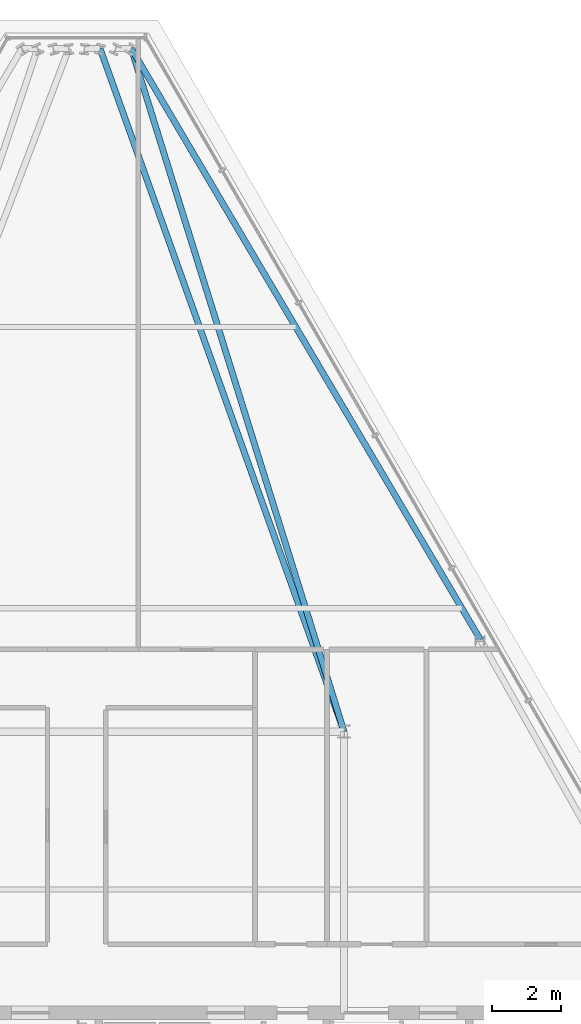
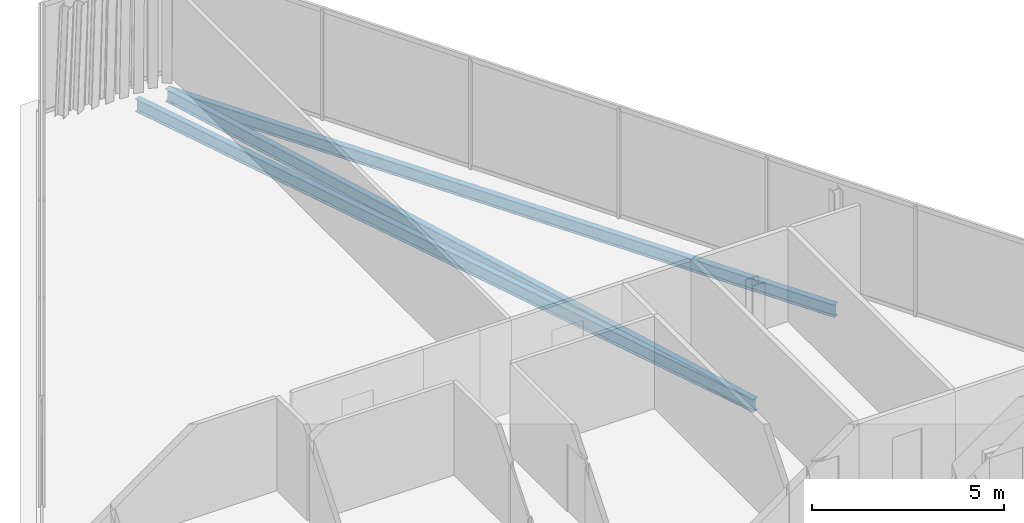
# One storey, part 18 of 32: 3 beams.
"""IFC4 building model written with IfcOpenShell, lengths in metres."""

from ifc_helpers import new_model, si_unit, direction, frame, origin, origin_2d, place, context, subcontext, project, spatial, i_section, extrude, material, material_profile, profile_set, type_object, element, save


model = new_model("IFC4")

# Units and contexts
model_context = context("Model", 3, precision=1e-05, world=origin(), true_north=direction((0.0, 1.0)))
body_context = subcontext(model_context, "Body", "Model", "MODEL_VIEW")
ifc_project = project(units=[si_unit("LENGTHUNIT", "METRE"), si_unit("AREAUNIT", "SQUARE_METRE"), si_unit("VOLUMEUNIT", "CUBIC_METRE"), si_unit("PLANEANGLEUNIT", "RADIAN"), si_unit("MASSUNIT", "GRAM", prefix="KILO")], contexts=[model_context])

# Site, building, storey
site_placement = place(None, origin())
site = spatial("IfcSite", under=ifc_project, at=site_placement, CompositionType="ELEMENT")
building_placement = place(site_placement, origin())
building = spatial("IfcBuilding", under=site, at=building_placement, Name="Ndaravel Arena Tower", CompositionType="ELEMENT")
storey_placement = place(building_placement, frame((0.0, 0.0, 294.699951171875)))
storey = spatial("IfcBuildingStorey", under=building, at=storey_placement, Name="L72", CompositionType="ELEMENT", Elevation=294.699951171875)

# Beams
ifc_material_1 = material(Name="Steel S355", Category="steel")
ifc_material_profile_1 = material_profile(ifc_material_1, i_section(OverallWidth=0.1787109375, OverallDepth=0.409423828125, WebThickness=0.0087890625, FlangeThickness=0.014404296875, FilletRadius=0.01025390625, at=origin_2d()), Name="UB 406x178x67")
ifc_profile_set_1 = profile_set([ifc_material_profile_1], Name="Steel S355")
beam_type_1 = type_object("IfcBeamType", Name="BM-GIRD-UB406", PredefinedType="BEAM", material=ifc_profile_set_1)
beam_1_placement = place(storey_placement, frame((43.59423828125, 43.12548828125, -0.424560546875), z_axis=(0.297361632041, -0.954764923837, 0.0), x_axis=(0.954764923837, 0.297361632041, 0.0)))
element("IfcBeam", 1, at=beam_1_placement, inside=storey, type_object=beam_type_1, Name="L72 Radial Floor Girder FG-11", PredefinedType="BEAM", context=body_context, shape_type="SweptSolid", body=[
    extrude(i_section(OverallWidth=0.1787109375, OverallDepth=0.409423828125, WebThickness=0.0087890625, FlangeThickness=0.014404296875, FilletRadius=0.01025390625, at=origin_2d()), origin(), (0.0, 0.0, 1.0), 20.86962890625),
])
beam_2_placement = place(storey_placement, frame((42.683349609375, 43.12548828125, -0.424560546875), z_axis=(0.336354670979, -0.941735384973, 0.0), x_axis=(0.941735384973, 0.336354670979, 0.0)))
element("IfcBeam", 2, at=beam_2_placement, inside=storey, type_object=beam_type_1, Name="L72 Radial Floor Girder FG-13", PredefinedType="BEAM", context=body_context, shape_type="SweptSolid", body=[
    extrude(i_section(OverallWidth=0.1787109375, OverallDepth=0.409423828125, WebThickness=0.0087890625, FlangeThickness=0.014404296875, FilletRadius=0.01025390625, at=origin_2d()), origin(), (0.0, 0.0, 1.0), 21.158203125),
])
ifc_material_2 = material(Name="Steel S355", Category="steel")
ifc_material_profile_2 = material_profile(ifc_material_2, i_section(OverallWidth=0.179931640625, OverallDepth=0.39990234375, WebThickness=0.008544921875, FlangeThickness=0.013427734375, FilletRadius=0.02099609375, at=origin_2d()), Name="IPE 400")
ifc_profile_set_2 = profile_set([ifc_material_profile_2], Name="Steel S355")
beam_type_2 = type_object("IfcBeamType", Name="BM-SPAN-IPE400", PredefinedType="SPANDREL", material=ifc_profile_set_2)
beam_3_placement = place(storey_placement, frame((53.7783203125, 25.880615234375, -0.419921875), z_axis=(-0.508504643002, 0.861059247697, 0.0), x_axis=(-0.861059247697, -0.508504643002, 0.0)))
element("IfcBeam", 3, at=beam_3_placement, inside=storey, type_object=beam_type_2, Name="L72 Perimeter Spandrel Beam SP-10", PredefinedType="SPANDREL", context=body_context, shape_type="SweptSolid", body=[
    extrude(i_section(OverallWidth=0.179931640625, OverallDepth=0.39990234375, WebThickness=0.008544921875, FlangeThickness=0.013427734375, FilletRadius=0.02099609375, at=origin_2d()), origin(), (0.0, 0.0, 1.0), 20.027587890625),
])

save(model, "model.ifc")
